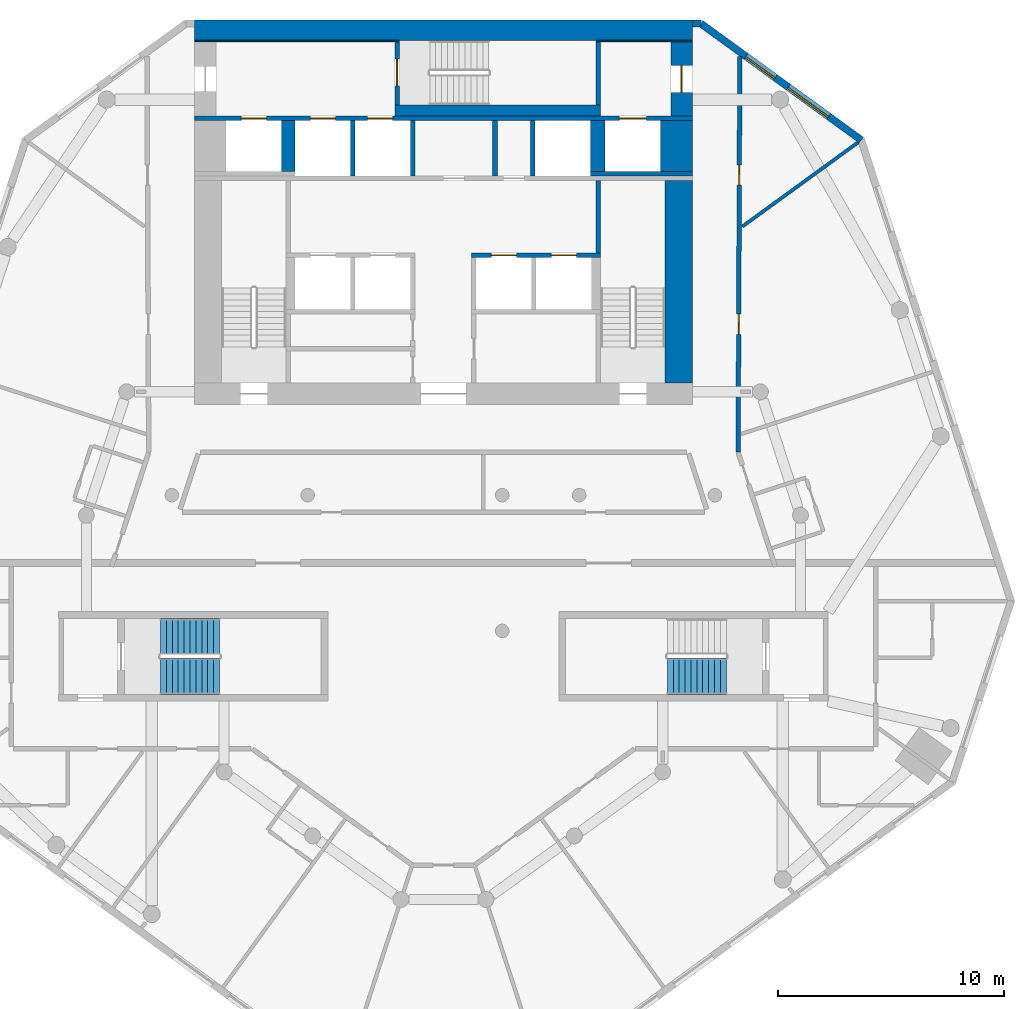
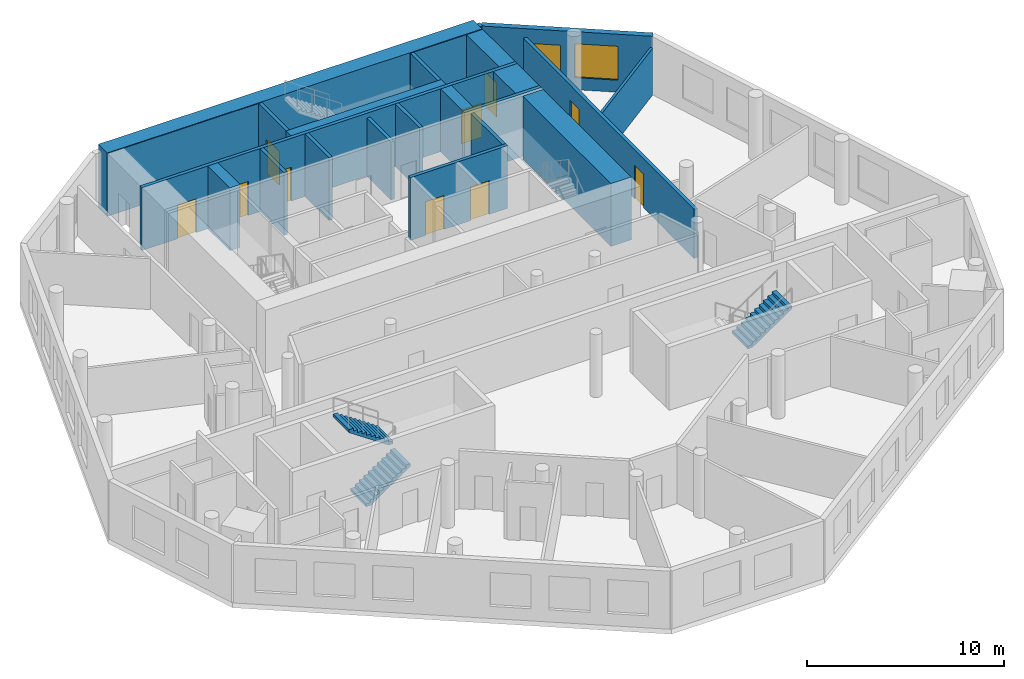
# One storey, part 6 of 9: 23 walls, 10 doors, 3 stair flights, 2 windows, 12 openings, 2 elements without a shape of their own.
"""IFC4 building model written with IfcOpenShell, lengths in metres."""

from ifc_helpers import new_model, si_unit, direction, frame, frame_2d, origin, place, context, subcontext, project, spatial, polyline, rectangle, outline, extrude, material, layer, layer_set, type_object, element, fill, aggregate, save


model = new_model("IFC4")

# Units and contexts
model_context = context("Model", 3, precision=1e-05, world=origin(), true_north=direction((0.0, 1.0)))
body_context = subcontext(model_context, "Body", "Model", "MODEL_VIEW")
ifc_project = project(units=[si_unit("LENGTHUNIT", "METRE"), si_unit("AREAUNIT", "SQUARE_METRE"), si_unit("VOLUMEUNIT", "CUBIC_METRE"), si_unit("PLANEANGLEUNIT", "RADIAN"), si_unit("MASSUNIT", "GRAM", prefix="KILO")], contexts=[model_context])

# Site, building, storey
site_placement = place(None, origin())
site = spatial("IfcSite", under=ifc_project, at=site_placement, CompositionType="ELEMENT")
building_placement = place(site_placement, origin())
building = spatial("IfcBuilding", under=site, at=building_placement, Name="White Candle Pilgrim Tower", CompositionType="ELEMENT")
storey_placement = place(building_placement, frame((0.0, 0.0, 179.800048828125)))
storey = spatial("IfcBuildingStorey", under=building, at=storey_placement, Name="L41", CompositionType="ELEMENT", Elevation=179.800048828125)

# Walls
ifc_material_1 = material(Name="Concrete C60/75", Category="concrete")
ifc_layer_1 = layer(ifc_material_1, 1.39990234375)
ifc_layer_set_1 = layer_set([ifc_layer_1], Name="Core wall 1400 mm Concrete C60/75")
wall_type_1 = type_object("IfcWallType", Name="Core wall 1400 mm Concrete C60/75", PredefinedType="SHEAR", material=ifc_layer_set_1)
wall_1_placement = place(storey_placement, frame((80.300048828125, 81.300048828125, 0.0), z_axis=(0.0, 0.0, 1.0), x_axis=(0.0, 1.0, 0.0)))
element("IfcWall", 1, at=wall_1_placement, inside=storey, type_object=wall_type_1, Name="WL-L41-C43", PredefinedType="SHEAR", context=body_context, shape_type="SweptSolid", body=[
    extrude(rectangle(XDim=2.25, YDim=1.39990234375, at=frame_2d((1.125, 0.0))), origin(), (0.0, 0.0, 1.0), 3.89990234375),
])
ifc_layer_2 = layer(ifc_material_1, 0.199951171875)
ifc_layer_set_2 = layer_set([ifc_layer_2], Name="Core wall 200 mm Concrete C60/75")
wall_type_2 = type_object("IfcWallType", Name="Core wall 200 mm Concrete C60/75", PredefinedType="SHEAR", material=ifc_layer_set_2)
wall_2_placement = place(storey_placement, frame((76.5, 81.199951171875, 0.0), z_axis=(0.0, 0.0, 1.0), x_axis=(1.0, 0.0, 0.0)))
element("IfcWall", 2, at=wall_2_placement, inside=storey, type_object=wall_type_2, Name="WL-L41-C39", PredefinedType="SHEAR", context=body_context, shape_type="SweptSolid", body=[
    extrude(rectangle(XDim=4.5, YDim=0.199951171875, at=frame_2d((2.25, 0.0))), origin(), (0.0, 0.0, 1.0), 3.89990234375),
])

# Wall, openings, doors
wall_3_placement = place(storey_placement, frame((59.0, 83.64990234375, 0.0), z_axis=(0.0, 0.0, 1.0), x_axis=(1.0, 0.0, 0.0)))
wall_3 = element("IfcWall", 3, at=wall_3_placement, inside=storey, type_object=wall_type_2, Name="WL-L41-C44", PredefinedType="SHEAR", context=body_context, shape_type="SweptSolid", body=[
    extrude(rectangle(XDim=22.0, YDim=0.199951171875, at=frame_2d((11.0, 0.0))), origin(), (0.0, 0.0, 1.0), 3.89990234375),
])
opening_1_placement = place(wall_3_placement, frame((5.125, 0.0, 0.0)))
opening_1 = element("IfcOpeningElement", 4, at=opening_1_placement, cuts=wall_3, Name="Opening T12-018", PredefinedType="OPENING", context=body_context, shape_type="SweptSolid", body=[
    extrude(rectangle(XDim=1.10009765625, YDim=2.10009765625, at=frame_2d((0.550048828125, 1.050048828125))), frame((0.0, 0.10986328125, 0.0), z_axis=(0.0, -1.0, 0.0), x_axis=(1.0, 0.0, 0.0)), (0.0, 0.0, 1.0), 0.219970703125),
])
opening_2_placement = place(wall_3_placement, frame((7.64990234375, 0.0, 0.0)))
opening_2 = element("IfcOpeningElement", 5, at=opening_2_placement, cuts=wall_3, Name="Opening T12-019", PredefinedType="OPENING", context=body_context, shape_type="SweptSolid", body=[
    extrude(rectangle(XDim=1.10009765625, YDim=2.10009765625, at=frame_2d((0.550048828125, 1.050048828125))), frame((0.0, 0.10986328125, 0.0), z_axis=(0.0, -1.0, 0.0), x_axis=(1.0, 0.0, 0.0)), (0.0, 0.0, 1.0), 0.219970703125),
])
opening_3_placement = place(wall_3_placement, frame((18.77490234375, 0.0, 0.0)))
opening_3 = element("IfcOpeningElement", 6, at=opening_3_placement, cuts=wall_3, Name="Opening T12-020", PredefinedType="OPENING", context=body_context, shape_type="SweptSolid", body=[
    extrude(rectangle(XDim=1.199951171875, YDim=2.10009765625, at=frame_2d((0.60009765625, 1.050048828125))), frame((0.0, 0.10986328125, 0.0), z_axis=(0.0, -1.0, 0.0), x_axis=(1.0, 0.0, 0.0)), (0.0, 0.0, 1.0), 0.219970703125),
])
opening_4_placement = place(wall_3_placement, frame((2.074951171875, 0.0, 0.0)))
opening_4 = element("IfcOpeningElement", 7, at=opening_4_placement, cuts=wall_3, Name="Opening T12-021", PredefinedType="OPENING", context=body_context, shape_type="SweptSolid", body=[
    extrude(rectangle(XDim=1.10009765625, YDim=2.10009765625, at=frame_2d((0.550048828125, 1.050048828125))), frame((0.0, 0.10986328125, 0.0), z_axis=(0.0, -1.0, 0.0), x_axis=(1.0, 0.0, 0.0)), (0.0, 0.0, 1.0), 0.219970703125),
])
ifc_material_2 = material(Name="Stainless steel", Category="steel")
door_type_1 = type_object("IfcDoorType", Name="Lift landing door 1100 x 2100 EI 60", OperationType="DOUBLE_DOOR_SLIDING", PredefinedType="DOOR", material=ifc_material_2)
door_1_placement = place(opening_1_placement, origin())
door_1 = element("IfcDoor", 8, at=door_1_placement, inside=storey, type_object=door_type_1, Name="Door T12-018", OperationType="DOUBLE_DOOR_SLIDING", OverallHeight=2.10009765625, OverallWidth=1.10009765625, PredefinedType="DOOR", context=body_context, shape_type="SweptSolid", body=[
    extrude(rectangle(XDim=1.10009765625, YDim=2.10009765625, at=frame_2d((0.550048828125, 1.050048828125))), frame((0.0, 0.02490234375, 0.0), z_axis=(0.0, -1.0, 0.0), x_axis=(1.0, 0.0, 0.0)), (0.0, 0.0, 1.0), 0.050048828125),
])
fill(opening_1, door_1)
door_2_placement = place(opening_2_placement, origin())
door_2 = element("IfcDoor", 9, at=door_2_placement, inside=storey, type_object=door_type_1, Name="Door T12-019", OperationType="DOUBLE_DOOR_SLIDING", OverallHeight=2.10009765625, OverallWidth=1.10009765625, PredefinedType="DOOR", context=body_context, shape_type="SweptSolid", body=[
    extrude(rectangle(XDim=1.10009765625, YDim=2.10009765625, at=frame_2d((0.550048828125, 1.050048828125))), frame((0.0, 0.02490234375, 0.0), z_axis=(0.0, -1.0, 0.0), x_axis=(1.0, 0.0, 0.0)), (0.0, 0.0, 1.0), 0.050048828125),
])
fill(opening_2, door_2)
door_3_placement = place(opening_4_placement, origin())
door_3 = element("IfcDoor", 10, at=door_3_placement, inside=storey, type_object=door_type_1, Name="Door T12-021", OperationType="DOUBLE_DOOR_SLIDING", OverallHeight=2.10009765625, OverallWidth=1.10009765625, PredefinedType="DOOR", context=body_context, shape_type="SweptSolid", body=[
    extrude(rectangle(XDim=1.10009765625, YDim=2.10009765625, at=frame_2d((0.550048828125, 1.050048828125))), frame((0.0, 0.02490234375, 0.0), z_axis=(0.0, -1.0, 0.0), x_axis=(1.0, 0.0, 0.0)), (0.0, 0.0, 1.0), 0.050048828125),
])
fill(opening_4, door_3)
door_type_2 = type_object("IfcDoorType", Name="Lift landing door 1200 x 2100 E 60", OperationType="DOUBLE_DOOR_SLIDING", PredefinedType="DOOR", material=ifc_material_2)
door_4_placement = place(opening_3_placement, origin())
door_4 = element("IfcDoor", 11, at=door_4_placement, inside=storey, type_object=door_type_2, Name="Door T12-020", OperationType="DOUBLE_DOOR_SLIDING", OverallHeight=2.10009765625, OverallWidth=1.199951171875, PredefinedType="DOOR", context=body_context, shape_type="SweptSolid", body=[
    extrude(rectangle(XDim=1.199951171875, YDim=2.10009765625, at=frame_2d((0.60009765625, 1.050048828125))), frame((0.0, 0.02490234375, 0.0), z_axis=(0.0, -1.0, 0.0), x_axis=(1.0, 0.0, 0.0)), (0.0, 0.0, 1.0), 0.050048828125),
])
fill(opening_3, door_4)

# Wall, opening, door
ifc_layer_3 = layer(ifc_material_1, 0.949951171875)
ifc_layer_set_3 = layer_set([ifc_layer_3], Name="Core wall 950 mm Concrete C60/75")
wall_type_3 = type_object("IfcWallType", Name="Core wall 950 mm Concrete C60/75", PredefinedType="SHEAR", material=ifc_layer_set_3)
wall_4_placement = place(storey_placement, frame((80.52490234375, 83.75, 0.0), z_axis=(0.0, 0.0, 1.0), x_axis=(0.0, 1.0, 0.0)))
wall_4 = element("IfcWall", 12, at=wall_4_placement, inside=storey, type_object=wall_type_3, Name="WL-L41-C47", PredefinedType="SHEAR", context=body_context, shape_type="SweptSolid", body=[
    extrude(rectangle(XDim=3.300048828125, YDim=0.949951171875, at=frame_2d((1.64990234375, 0.0))), origin(), (0.0, 0.0, 1.0), 3.89990234375),
])
opening_5_placement = place(wall_4_placement, frame((1.050048828125, 0.0, 0.0)))
opening_5 = element("IfcOpeningElement", 13, at=opening_5_placement, cuts=wall_4, Name="Opening T12-009", PredefinedType="OPENING", context=body_context, shape_type="SweptSolid", body=[
    extrude(rectangle(XDim=1.199951171875, YDim=2.10009765625, at=frame_2d((0.60009765625, 1.050048828125))), frame((0.0, 0.48486328125, 0.0), z_axis=(0.0, -1.0, 0.0), x_axis=(1.0, 0.0, 0.0)), (0.0, 0.0, 1.0), 0.969970703125),
])
ifc_material_3 = material(Name="Steel door leaf", Category="steel")
door_type_3 = type_object("IfcDoorType", Name="Fire door 1200 x 2100 EI 30", OperationType="NOTDEFINED", PredefinedType="DOOR", material=ifc_material_3)
door_5_placement = place(opening_5_placement, origin())
door_5 = element("IfcDoor", 14, at=door_5_placement, inside=storey, type_object=door_type_3, Name="Door T12-009", OperationType="SINGLE_SWING_LEFT", OverallHeight=2.10009765625, OverallWidth=1.199951171875, PredefinedType="DOOR", context=body_context, shape_type="SweptSolid", body=[
    extrude(rectangle(XDim=1.199951171875, YDim=2.10009765625, at=frame_2d((0.60009765625, 1.050048828125))), frame((0.0, 0.02490234375, 0.0), z_axis=(0.0, -1.0, 0.0), x_axis=(1.0, 0.0, 0.0)), (0.0, 0.0, 1.0), 0.050048828125),
])
fill(opening_5, door_5)

# Wall, openings, doors
ifc_material_4 = material(Name="Gypsum board on steel studs", Category="steel")
ifc_layer_4 = layer(ifc_material_4, 0.199951171875)
ifc_layer_set_4 = layer_set([ifc_layer_4], Name="Corridor wall 200 mm EI 45")
wall_type_4 = type_object("IfcWallType", Name="Corridor wall 200 mm EI 45", PredefinedType="PARTITIONING", material=ifc_layer_set_4)
wall_5_placement = place(storey_placement, frame((83.10009765625, 86.396240234375, 0.0), z_axis=(0.0, 0.0, 1.0), x_axis=(-0.004315662543, -0.999990687485, 0.0)))
wall_5 = element("IfcWall", 15, at=wall_5_placement, inside=storey, type_object=wall_type_4, Name="WL-L41-P004", PredefinedType="PARTITIONING", context=body_context, shape_type="SweptSolid", body=[
    extrude(rectangle(XDim=17.48046875, YDim=0.199951171875, at=frame_2d((8.740234375, 0.0))), origin(), (0.0, 0.0, 1.0), 3.050048828125),
])
opening_6_placement = place(wall_5_placement, frame((4.7939453125, 0.0, 0.0)))
opening_6 = element("IfcOpeningElement", 16, at=opening_6_placement, cuts=wall_5, Name="Opening T12-125", PredefinedType="OPENING", context=body_context, shape_type="SweptSolid", body=[
    extrude(rectangle(XDim=0.89990234375, YDim=2.10009765625, at=frame_2d((0.449951171875, 1.050048828125))), frame((0.0, 0.10986328125, 0.0), z_axis=(0.0, -1.0, 0.0), x_axis=(1.0, 0.0, 0.0)), (0.0, 0.0, 1.0), 0.219970703125),
])
opening_7_placement = place(wall_5_placement, frame((11.3857421875, 0.0, 0.0)))
opening_7 = element("IfcOpeningElement", 17, at=opening_7_placement, cuts=wall_5, Name="Opening T12-126", PredefinedType="OPENING", context=body_context, shape_type="SweptSolid", body=[
    extrude(rectangle(XDim=0.89990234375, YDim=2.10009765625, at=frame_2d((0.449951171875, 1.050048828125))), frame((0.0, 0.10986328125, 0.0), z_axis=(0.0, -1.0, 0.0), x_axis=(1.0, 0.0, 0.0)), (0.0, 0.0, 1.0), 0.219970703125),
])
door_type_4 = type_object("IfcDoorType", Name="Fire door 900 x 2100 EI 30", OperationType="NOTDEFINED", PredefinedType="DOOR", material=ifc_material_3)
door_6_placement = place(opening_6_placement, origin())
door_6 = element("IfcDoor", 18, at=door_6_placement, inside=storey, type_object=door_type_4, Name="Door T12-125", OperationType="SINGLE_SWING_LEFT", OverallHeight=2.10009765625, OverallWidth=0.89990234375, PredefinedType="DOOR", context=body_context, shape_type="SweptSolid", body=[
    extrude(rectangle(XDim=0.89990234375, YDim=2.10009765625, at=frame_2d((0.449951171875, 1.050048828125))), frame((0.0, 0.02490234375, 0.0), z_axis=(0.0, -1.0, 0.0), x_axis=(1.0, 0.0, 0.0)), (0.0, 0.0, 1.0), 0.050048828125),
])
fill(opening_6, door_6)
door_7_placement = place(opening_7_placement, origin())
door_7 = element("IfcDoor", 19, at=door_7_placement, inside=storey, type_object=door_type_4, Name="Door T12-126", OperationType="SINGLE_SWING_RIGHT", OverallHeight=2.10009765625, OverallWidth=0.89990234375, PredefinedType="DOOR", context=body_context, shape_type="SweptSolid", body=[
    extrude(rectangle(XDim=0.89990234375, YDim=2.10009765625, at=frame_2d((0.449951171875, 1.050048828125))), frame((0.0, 0.02490234375, 0.0), z_axis=(0.0, -1.0, 0.0), x_axis=(1.0, 0.0, 0.0)), (0.0, 0.0, 1.0), 0.050048828125),
])
fill(opening_7, door_7)

# Wall, openings, windows
ifc_material_5 = material(Name="Precast concrete C40/50", Category="concrete")
ifc_layer_5 = layer(ifc_material_5, 0.320068359375)
ifc_layer_set_5 = layer_set([ifc_layer_5], Name="Facade wall EW1 precast concrete C40/50 pier wall with timber-lined reveals")
wall_type_5 = type_object("IfcWallType", Name="Facade wall EW1 precast concrete C40/50 pier wall with timber-lined reveals", PredefinedType="SOLIDWALL", material=ifc_layer_set_5)
wall_6_placement = place(storey_placement, frame((88.468505859375, 82.693603515625, 0.0), z_axis=(0.0, 0.0, 1.0), x_axis=(-0.809015733499, 0.587786987735, 0.0)))
wall_6 = element("IfcWall", 20, at=wall_6_placement, inside=storey, type_object=wall_type_5, Name="Facade wall L41 NE chamfer", PredefinedType="SOLIDWALL", context=body_context, shape_type="SweptSolid", body=[
    extrude(rectangle(XDim=8.755615234375, YDim=0.320068359375, at=frame_2d((4.3779296875, 0.0))), origin(), (0.0, 0.0, 1.0), 3.599853515625),
])
opening_8_placement = place(wall_6_placement, frame((1.77783203125, 0.0, 0.75)))
opening_8 = element("IfcOpeningElement", 21, at=opening_8_placement, cuts=wall_6, Name="Opening W4", PredefinedType="OPENING", context=body_context, shape_type="SweptSolid", body=[
    extrude(rectangle(XDim=2.199951171875, YDim=2.10009765625, at=frame_2d((1.10009765625, 1.050048828125))), frame((0.0, 0.169921875, 0.0), z_axis=(0.0, -1.0, 0.0), x_axis=(1.0, 0.0, 0.0)), (0.0, 0.0, 1.0), 0.340087890625),
])
opening_9_placement = place(wall_6_placement, frame((4.6962890625, 0.0, 0.89990234375)))
opening_9 = element("IfcOpeningElement", 22, at=opening_9_placement, cuts=wall_6, Name="Opening W2", PredefinedType="OPENING", context=body_context, shape_type="SweptSolid", body=[
    extrude(rectangle(XDim=1.60009765625, YDim=1.800048828125, at=frame_2d((0.800048828125, 0.89990234375))), frame((0.0, 0.169921875, 0.0), z_axis=(0.0, -1.0, 0.0), x_axis=(1.0, 0.0, 0.0)), (0.0, 0.0, 1.0), 0.340087890625),
])
ifc_material_6 = material(Name="Timber frame with triple glazing", Category="wood")
window_type_1 = type_object("IfcWindowType", Name="Window W2 1600x1800 timber frame triple glazing", PartitioningType="SINGLE_PANEL", PredefinedType="WINDOW", material=ifc_material_6)
window_1_placement = place(opening_9_placement, origin())
window_1 = element("IfcWindow", 23, at=window_1_placement, inside=storey, type_object=window_type_1, Name="Window W2 L41 NE chamfer 2", OverallHeight=1.800048828125, OverallWidth=1.60009765625, PartitioningType="SINGLE_PANEL", PredefinedType="WINDOW", context=body_context, shape_type="SweptSolid", body=[
    extrude(rectangle(XDim=1.60009765625, YDim=1.800048828125, at=frame_2d((0.800048828125, 0.89990234375))), frame((0.0, 0.070068359375, 0.0), z_axis=(0.0, -1.0, 0.0), x_axis=(1.0, 0.0, 0.0)), (0.0, 0.0, 1.0), 0.06005859375),
])
fill(opening_9, window_1)
window_type_2 = type_object("IfcWindowType", Name="Window W4 2200x2100 timber frame triple glazing", PartitioningType="SINGLE_PANEL", PredefinedType="WINDOW", material=ifc_material_6)
window_2_placement = place(opening_8_placement, origin())
window_2 = element("IfcWindow", 24, at=window_2_placement, inside=storey, type_object=window_type_2, Name="Window W4 L41 NE chamfer 1", OverallHeight=2.10009765625, OverallWidth=2.199951171875, PartitioningType="SINGLE_PANEL", PredefinedType="WINDOW", context=body_context, shape_type="SweptSolid", body=[
    extrude(rectangle(XDim=2.199951171875, YDim=2.10009765625, at=frame_2d((1.10009765625, 1.050048828125))), frame((0.0, 0.070068359375, 0.0), z_axis=(0.0, -1.0, 0.0), x_axis=(1.0, 0.0, 0.0)), (0.0, 0.0, 1.0), 0.06005859375),
])
fill(opening_8, window_2)

# Walls
wall_7_placement = place(storey_placement, frame((81.385009765625, 87.840087890625, 0.0), z_axis=(0.0, 0.0, 1.0), x_axis=(-1.0, 0.0, 0.0)))
element("IfcWall", 25, at=wall_7_placement, inside=storey, type_object=wall_type_5, Name="Facade wall L41 N", PredefinedType="SOLIDWALL", context=body_context, shape_type="SweptSolid", body=[
    extrude(rectangle(XDim=0.385009765625, YDim=0.320068359375, at=frame_2d((0.1923828125, 0.0))), origin(), (0.0, 0.0, 1.0), 3.599853515625),
])
ifc_layer_6 = layer(ifc_material_4, 0.199951171875)
ifc_layer_set_6 = layer_set([ifc_layer_6], Name="Lobby wall 200 mm EI 60")
wall_type_6 = type_object("IfcWallType", Name="Lobby wall 200 mm EI 60", PredefinedType="PARTITIONING", material=ifc_layer_set_6)
wall_8_placement = place(storey_placement, frame((72.280029296875, 81.10009765625, 0.0), z_axis=(0.0, 0.0, 1.0), x_axis=(0.0, 1.0, 0.0)))
element("IfcWall", 26, at=wall_8_placement, inside=storey, type_object=wall_type_6, Name="WL-L41-C37", PredefinedType="PARTITIONING", context=body_context, shape_type="SweptSolid", body=[
    extrude(rectangle(XDim=2.449951171875, YDim=0.199951171875, at=frame_2d((1.22509765625, 0.0))), origin(), (0.0, 0.0, 1.0), 3.599853515625),
])
ifc_layer_7 = layer(ifc_material_4, 0.14990234375)
ifc_layer_set_7 = layer_set([ifc_layer_7], Name="Partition 150 mm EI 60")
wall_type_7 = type_object("IfcWallType", Name="Partition 150 mm EI 60", PredefinedType="PARTITIONING", material=ifc_layer_set_7)
wall_9_placement = place(storey_placement, frame((88.33251953125, 82.594482421875, 0.0), z_axis=(0.0, 0.0, 1.0), x_axis=(-0.809026220211, -0.587772553809, 0.0)))
element("IfcWall", 27, at=wall_9_placement, inside=storey, type_object=wall_type_7, Name="WL-L41-P024", PredefinedType="PARTITIONING", context=body_context, shape_type="SweptSolid", body=[
    extrude(rectangle(XDim=6.329345703125, YDim=0.14990234375, at=frame_2d((3.16455078125, 0.0))), origin(), (0.0, 0.0, 1.0), 2.89990234375),
])
ifc_layer_8 = layer(ifc_material_1, 0.199951171875)
ifc_layer_set_8 = layer_set([ifc_layer_8], Name="Shaft wall 200 mm Concrete C60/75")
wall_type_8 = type_object("IfcWallType", Name="Shaft wall 200 mm Concrete C60/75", PredefinedType="SHEAR", material=ifc_layer_set_8)
for number, where, z_axis, x_axis, name in (
    (28, (66.0, 81.10009765625, 0.0), (0.0, 0.0, 1.0), (0.0, 1.0, 0.0), "WL-L41-C35"),
    (29, (68.64990234375, 81.10009765625, 0.0), (0.0, 0.0, 1.0), (0.0, 1.0, 0.0), "WL-L41-C36"),
    (30, (73.949951171875, 81.10009765625, 0.0), (0.0, 0.0, 1.0), (0.0, 1.0, 0.0), "WL-L41-C38"),
):
    element("IfcWall", number, at=place(storey_placement, frame(where, z_axis=z_axis, x_axis=x_axis)), inside=storey, type_object=wall_type_8, Name=name, PredefinedType="SHEAR", context=body_context, shape_type="SweptSolid", body=[
        extrude(rectangle(XDim=2.449951171875, YDim=0.199951171875, at=frame_2d((1.22509765625, 0.0))), origin(), (0.0, 0.0, 1.0), 3.89990234375),
    ])
ifc_layer_9 = layer(ifc_material_1, 0.60009765625)
ifc_layer_set_9 = layer_set([ifc_layer_9], Name="Shaft wall 600 mm Concrete C60/75")
wall_type_9 = type_object("IfcWallType", Name="Shaft wall 600 mm Concrete C60/75", PredefinedType="SHEAR", material=ifc_layer_set_9)
wall_10_placement = place(storey_placement, frame((63.14990234375, 81.300048828125, 0.0), z_axis=(0.0, 0.0, 1.0), x_axis=(0.0, 1.0, 0.0)))
element("IfcWall", 31, at=wall_10_placement, inside=storey, type_object=wall_type_9, Name="WL-L41-C41", PredefinedType="SHEAR", context=body_context, shape_type="SweptSolid", body=[
    extrude(rectangle(XDim=2.25, YDim=0.60009765625, at=frame_2d((1.125, 0.0))), origin(), (0.0, 0.0, 1.0), 3.89990234375),
])
ifc_layer_10 = layer(ifc_material_1, 0.64990234375)
ifc_layer_set_10 = layer_set([ifc_layer_10], Name="Shaft wall 650 mm Concrete C60/75")
wall_type_10 = type_object("IfcWallType", Name="Shaft wall 650 mm Concrete C60/75", PredefinedType="SHEAR", material=ifc_layer_set_10)
wall_11_placement = place(storey_placement, frame((76.824951171875, 81.300048828125, 0.0), z_axis=(0.0, 0.0, 1.0), x_axis=(0.0, 1.0, 0.0)))
element("IfcWall", 32, at=wall_11_placement, inside=storey, type_object=wall_type_10, Name="WL-L41-C42", PredefinedType="SHEAR", context=body_context, shape_type="SweptSolid", body=[
    extrude(rectangle(XDim=2.25, YDim=0.64990234375, at=frame_2d((1.125, 0.0))), origin(), (0.0, 0.0, 1.0), 3.89990234375),
])
ifc_layer_11 = layer(ifc_material_1, 1.199951171875)
ifc_layer_set_11 = layer_set([ifc_layer_11], Name="Stair shaft wall 1200 mm Concrete C60/75")
wall_type_11 = type_object("IfcWallType", Name="Stair shaft wall 1200 mm Concrete C60/75", PredefinedType="SHEAR", material=ifc_layer_set_11)
wall_12_placement = place(storey_placement, frame((80.39990234375, 71.949951171875, 0.0), z_axis=(0.0, 0.0, 1.0), x_axis=(0.0, 1.0, 0.0)))
element("IfcWall", 33, at=wall_12_placement, inside=storey, type_object=wall_type_11, Name="WL-L41-C17", PredefinedType="SHEAR", context=body_context, shape_type="SweptSolid", body=[
    extrude(rectangle(XDim=8.949951171875, YDim=1.199951171875, at=frame_2d((4.47509765625, 0.0))), origin(), (0.0, 0.0, 1.0), 3.89990234375),
])

# Wall, openings, doors
ifc_layer_12 = layer(ifc_material_1, 0.199951171875)
ifc_layer_set_12 = layer_set([ifc_layer_12], Name="Stair shaft wall 200 mm Concrete C60/75")
wall_type_12 = type_object("IfcWallType", Name="Stair shaft wall 200 mm Concrete C60/75", PredefinedType="SHEAR", material=ifc_layer_set_12)
wall_13_placement = place(storey_placement, frame((71.25, 77.60009765625, 0.0), z_axis=(0.0, 0.0, 1.0), x_axis=(1.0, 0.0, 0.0)))
wall_13 = element("IfcWall", 34, at=wall_13_placement, inside=storey, type_object=wall_type_12, Name="WL-L41-C30", PredefinedType="SHEAR", context=body_context, shape_type="SweptSolid", body=[
    extrude(rectangle(XDim=5.699951171875, YDim=0.199951171875, at=frame_2d((2.85009765625, 0.0))), origin(), (0.0, 0.0, 1.0), 3.89990234375),
])
opening_10_placement = place(wall_13_placement, frame((0.875, 0.0, 0.0)))
opening_10 = element("IfcOpeningElement", 35, at=opening_10_placement, cuts=wall_13, Name="Opening T12-016", PredefinedType="OPENING", context=body_context, shape_type="SweptSolid", body=[
    extrude(rectangle(XDim=1.10009765625, YDim=2.10009765625, at=frame_2d((0.550048828125, 1.050048828125))), frame((0.0, 0.10986328125, 0.0), z_axis=(0.0, -1.0, 0.0), x_axis=(1.0, 0.0, 0.0)), (0.0, 0.0, 1.0), 0.219970703125),
])
opening_11_placement = place(wall_13_placement, frame((3.52490234375, 0.0, 0.0)))
opening_11 = element("IfcOpeningElement", 36, at=opening_11_placement, cuts=wall_13, Name="Opening T12-017", PredefinedType="OPENING", context=body_context, shape_type="SweptSolid", body=[
    extrude(rectangle(XDim=1.10009765625, YDim=2.10009765625, at=frame_2d((0.550048828125, 1.050048828125))), frame((0.0, 0.10986328125, 0.0), z_axis=(0.0, -1.0, 0.0), x_axis=(1.0, 0.0, 0.0)), (0.0, 0.0, 1.0), 0.219970703125),
])
door_type_5 = type_object("IfcDoorType", Name="Lift landing door 1100 x 2100 E 60", OperationType="DOUBLE_DOOR_SLIDING", PredefinedType="DOOR", material=ifc_material_2)
door_8_placement = place(opening_10_placement, origin())
door_8 = element("IfcDoor", 37, at=door_8_placement, inside=storey, type_object=door_type_5, Name="Door T12-016", OperationType="DOUBLE_DOOR_SLIDING", OverallHeight=2.10009765625, OverallWidth=1.10009765625, PredefinedType="DOOR", context=body_context, shape_type="SweptSolid", body=[
    extrude(rectangle(XDim=1.10009765625, YDim=2.10009765625, at=frame_2d((0.550048828125, 1.050048828125))), frame((0.0, 0.02490234375, 0.0), z_axis=(0.0, -1.0, 0.0), x_axis=(1.0, 0.0, 0.0)), (0.0, 0.0, 1.0), 0.050048828125),
])
fill(opening_10, door_8)
door_9_placement = place(opening_11_placement, origin())
door_9 = element("IfcDoor", 38, at=door_9_placement, inside=storey, type_object=door_type_5, Name="Door T12-017", OperationType="DOUBLE_DOOR_SLIDING", OverallHeight=2.10009765625, OverallWidth=1.10009765625, PredefinedType="DOOR", context=body_context, shape_type="SweptSolid", body=[
    extrude(rectangle(XDim=1.10009765625, YDim=2.10009765625, at=frame_2d((0.550048828125, 1.050048828125))), frame((0.0, 0.02490234375, 0.0), z_axis=(0.0, -1.0, 0.0), x_axis=(1.0, 0.0, 0.0)), (0.0, 0.0, 1.0), 0.050048828125),
])
fill(opening_11, door_9)

# Wall
wall_14_placement = place(storey_placement, frame((76.85009765625, 77.699951171875, 0.0), z_axis=(0.0, 0.0, 1.0), x_axis=(0.0, 1.0, 0.0)))
element("IfcWall", 39, at=wall_14_placement, inside=storey, type_object=wall_type_12, Name="WL-L41-C32", PredefinedType="SHEAR", context=body_context, shape_type="SweptSolid", body=[
    extrude(rectangle(XDim=3.199951171875, YDim=0.199951171875, at=frame_2d((1.60009765625, 0.0))), origin(), (0.0, 0.0, 1.0), 3.89990234375),
])

# Wall, opening, door
wall_15_placement = place(storey_placement, frame((67.949951171875, 84.25, 0.0), z_axis=(0.0, 0.0, 1.0), x_axis=(0.0, 1.0, 0.0)))
wall_15 = element("IfcWall", 40, at=wall_15_placement, inside=storey, type_object=wall_type_12, Name="WL-L41-C48", PredefinedType="SHEAR", context=body_context, shape_type="SweptSolid", body=[
    extrude(rectangle(XDim=2.800048828125, YDim=0.199951171875, at=frame_2d((1.39990234375, 0.0))), origin(), (0.0, 0.0, 1.0), 3.89990234375),
])
opening_12_placement = place(wall_15_placement, frame((0.824951171875, 0.0, 0.0)))
opening_12 = element("IfcOpeningElement", 41, at=opening_12_placement, cuts=wall_15, Name="Opening T12-003", PredefinedType="OPENING", context=body_context, shape_type="SweptSolid", body=[
    extrude(rectangle(XDim=1.199951171875, YDim=2.10009765625, at=frame_2d((0.60009765625, 1.050048828125))), frame((0.0, 0.10986328125, 0.0), z_axis=(0.0, -1.0, 0.0), x_axis=(1.0, 0.0, 0.0)), (0.0, 0.0, 1.0), 0.219970703125),
])
door_type_6 = type_object("IfcDoorType", Name="Fire door 1200 x 2100 EI 60", OperationType="NOTDEFINED", PredefinedType="DOOR", material=ifc_material_3)
door_10_placement = place(opening_12_placement, frame((1.199951171875, 0.0, 0.0), z_axis=(0.0, 0.0, 1.0), x_axis=(-1.0, 0.0, 0.0)))
door_10 = element("IfcDoor", 42, at=door_10_placement, inside=storey, type_object=door_type_6, Name="Door T12-003", OperationType="SINGLE_SWING_RIGHT", OverallHeight=2.10009765625, OverallWidth=1.199951171875, PredefinedType="DOOR", context=body_context, shape_type="SweptSolid", body=[
    extrude(rectangle(XDim=1.199951171875, YDim=2.10009765625, at=frame_2d((0.60009765625, 1.050048828125))), frame((0.0, 0.02490234375, 0.0), z_axis=(0.0, -1.0, 0.0), x_axis=(1.0, 0.0, 0.0)), (0.0, 0.0, 1.0), 0.050048828125),
])
fill(opening_12, door_10)

# Walls
wall_16_placement = place(storey_placement, frame((76.85009765625, 84.25, 0.0), z_axis=(0.0, 0.0, 1.0), x_axis=(0.0, 1.0, 0.0)))
element("IfcWall", 43, at=wall_16_placement, inside=storey, type_object=wall_type_12, Name="WL-L41-C49", PredefinedType="SHEAR", context=body_context, shape_type="SweptSolid", body=[
    extrude(rectangle(XDim=2.800048828125, YDim=0.199951171875, at=frame_2d((1.39990234375, 0.0))), origin(), (0.0, 0.0, 1.0), 3.89990234375),
])
ifc_layer_13 = layer(ifc_material_1, 0.050048828125)
ifc_layer_set_13 = layer_set([ifc_layer_13], Name="Stair shaft wall 50 mm Concrete C60/75")
wall_type_13 = type_object("IfcWallType", Name="Stair shaft wall 50 mm Concrete C60/75", PredefinedType="SHEAR", material=ifc_layer_set_13)
wall_17_placement = place(storey_placement, frame((59.0, 87.074951171875, 0.0), z_axis=(0.0, 0.0, 1.0), x_axis=(1.0, 0.0, 0.0)))
element("IfcWall", 44, at=wall_17_placement, inside=storey, type_object=wall_type_13, Name="WL-L41-C50", PredefinedType="SHEAR", context=body_context, shape_type="SweptSolid", body=[
    extrude(rectangle(XDim=9.050048828125, YDim=0.050048828125, at=frame_2d((4.52490234375, 0.0))), origin(), (0.0, 0.0, 1.0), 3.89990234375),
])
wall_18_placement = place(storey_placement, frame((76.75, 87.074951171875, 0.0), z_axis=(0.0, 0.0, 1.0), x_axis=(1.0, 0.0, 0.0)))
element("IfcWall", 45, at=wall_18_placement, inside=storey, type_object=wall_type_13, Name="WL-L41-C51", PredefinedType="SHEAR", context=body_context, shape_type="SweptSolid", body=[
    extrude(rectangle(XDim=4.25, YDim=0.050048828125, at=frame_2d((2.125, 0.0))), origin(), (0.0, 0.0, 1.0), 3.89990234375),
])
ifc_layer_14 = layer(ifc_material_1, 0.5)
ifc_layer_set_14 = layer_set([ifc_layer_14], Name="Stair shaft wall 500 mm Concrete C60/75")
wall_type_14 = type_object("IfcWallType", Name="Stair shaft wall 500 mm Concrete C60/75", PredefinedType="SHEAR", material=ifc_layer_set_14)
wall_19_placement = place(storey_placement, frame((67.85009765625, 84.0, 0.0), z_axis=(0.0, 0.0, 1.0), x_axis=(1.0, 0.0, 0.0)))
element("IfcWall", 46, at=wall_19_placement, inside=storey, type_object=wall_type_14, Name="WL-L41-C46", PredefinedType="SHEAR", context=body_context, shape_type="SweptSolid", body=[
    extrude(rectangle(XDim=9.099853515625, YDim=0.5, at=frame_2d((4.5498046875, 0.0))), origin(), (0.0, 0.0, 1.0), 3.89990234375),
])
ifc_layer_15 = layer(ifc_material_1, 0.89990234375)
ifc_layer_set_15 = layer_set([ifc_layer_15], Name="Stair shaft wall 900 mm Concrete C60/75")
wall_type_15 = type_object("IfcWallType", Name="Stair shaft wall 900 mm Concrete C60/75", PredefinedType="SHEAR", material=ifc_layer_set_15)
wall_20_placement = place(storey_placement, frame((59.0, 87.550048828125, 0.0), z_axis=(0.0, 0.0, 1.0), x_axis=(1.0, 0.0, 0.0)))
element("IfcWall", 47, at=wall_20_placement, inside=storey, type_object=wall_type_15, Name="WL-L41-C52", PredefinedType="SHEAR", context=body_context, shape_type="SweptSolid", body=[
    extrude(rectangle(XDim=22.0, YDim=0.89990234375, at=frame_2d((11.0, 0.0))), origin(), (0.0, 0.0, 1.0), 3.89990234375),
])

# Stair, stair flight
ifc_material_7 = material(Name="Concrete C40/50", Category="concrete")
stair_type_1 = type_object("IfcStairType", Name="Exit stair 4 flight width 1600 mm", PredefinedType="HALF_TURN_STAIR", material=ifc_material_7)
stair_1_placement = place(storey_placement, origin())
stair_1 = element("IfcStair", 48, at=stair_1_placement, inside=storey, type_object=stair_type_1, Name="L41 stair 4", PredefinedType="NOTDEFINED")
ifc_layer_16 = layer(ifc_material_7, 0.14990234375)
ifc_layer_set_16 = layer_set([ifc_layer_16], Name="Stair flight Concrete C40/50")
stair_flight_type = type_object("IfcStairFlightType", Name="Stair flight Concrete C40/50", PredefinedType="STRAIGHT", material=ifc_layer_set_16)
stair_flight_1_placement = place(storey_placement, frame((79.89990234375, 59.0, 1.949951171875), z_axis=(0.0, 0.0, 1.0), x_axis=(1.0, 0.0, 0.0)))
stair_flight_1 = element("IfcStairFlight", 49, at=stair_flight_1_placement, type_object=stair_flight_type, Name="ST4 flight 2", NumberOfRisers=11, NumberOfTreads=10, PredefinedType="NOTDEFINED", RiserHeight=0.177272727, TreadLength=0.26, context=body_context, shape_type="SweptSolid", body=[
    extrude(outline(polyline([(0.0, 0.0), (0.0, 0.17724609375), (0.260009765625, 0.17724609375), (0.260009765625, 0.3544921875), (0.52001953125, 0.3544921875), (0.52001953125, 0.53173828125), (0.780029296875, 0.53173828125), (0.780029296875, 0.708984375), (1.0400390625, 0.708984375), (1.0400390625, 0.886474609375), (1.300048828125, 0.886474609375), (1.300048828125, 1.063720703125), (1.56005859375, 1.063720703125), (1.56005859375, 1.240966796875), (1.820068359375, 1.240966796875), (1.820068359375, 1.418212890625), (2.080078125, 1.418212890625), (2.080078125, 1.595458984375), (2.340087890625, 1.595458984375), (2.340087890625, 1.772705078125), (2.60009765625, 1.772705078125), (2.60009765625, 1.949951171875), (2.60009765625, 1.59130859375), (0.26611328125, 0.0), (0.0, 0.0)])), frame((0.0, 0.800048828125, 0.0), z_axis=(0.0, -1.0, 0.0), x_axis=(1.0, 0.0, 0.0)), (0.0, 0.0, 1.0), 1.60009765625),
])
aggregate(stair_1, [stair_flight_1])

# Stair, stair flights
stair_type_2 = type_object("IfcStairType", Name="Exit stair 5 flight width 1600 mm", PredefinedType="HALF_TURN_STAIR", material=ifc_material_7)
stair_2_placement = place(storey_placement, origin())
stair_2 = element("IfcStair", 50, at=stair_2_placement, inside=storey, type_object=stair_type_2, Name="L41 stair 5", PredefinedType="NOTDEFINED")
stair_flight_2_placement = place(storey_placement, frame((57.5, 59.0, 0.0), z_axis=(0.0, 0.0, 1.0), x_axis=(1.0, 0.0, 0.0)))
stair_flight_2 = element("IfcStairFlight", 51, at=stair_flight_2_placement, type_object=stair_flight_type, Name="ST5 flight 1", NumberOfRisers=11, NumberOfTreads=10, PredefinedType="NOTDEFINED", RiserHeight=0.177272727, TreadLength=0.26, context=body_context, shape_type="SweptSolid", body=[
    extrude(outline(polyline([(0.0, 0.0), (0.0, 0.17724609375), (0.260009765625, 0.17724609375), (0.260009765625, 0.3544921875), (0.52001953125, 0.3544921875), (0.52001953125, 0.53173828125), (0.780029296875, 0.53173828125), (0.780029296875, 0.708984375), (1.0400390625, 0.708984375), (1.0400390625, 0.886474609375), (1.300048828125, 0.886474609375), (1.300048828125, 1.063720703125), (1.56005859375, 1.063720703125), (1.56005859375, 1.240966796875), (1.820068359375, 1.240966796875), (1.820068359375, 1.418212890625), (2.080078125, 1.418212890625), (2.080078125, 1.595458984375), (2.340087890625, 1.595458984375), (2.340087890625, 1.772705078125), (2.60009765625, 1.772705078125), (2.60009765625, 1.949951171875), (2.60009765625, 1.59130859375), (0.26611328125, 0.0), (0.0, 0.0)])), frame((0.0, 0.800048828125, 0.0), z_axis=(0.0, -1.0, 0.0), x_axis=(1.0, 0.0, 0.0)), (0.0, 0.0, 1.0), 1.60009765625),
])
stair_flight_3_placement = place(storey_placement, frame((60.10009765625, 60.75, 1.949951171875), z_axis=(0.0, 0.0, 1.0), x_axis=(-1.0, 0.0, 0.0)))
stair_flight_3 = element("IfcStairFlight", 52, at=stair_flight_3_placement, type_object=stair_flight_type, Name="ST5 flight 2", NumberOfRisers=11, NumberOfTreads=10, PredefinedType="NOTDEFINED", RiserHeight=0.177272727, TreadLength=0.26, context=body_context, shape_type="SweptSolid", body=[
    extrude(outline(polyline([(0.0, 0.0), (0.0, 0.17724609375), (0.260009765625, 0.17724609375), (0.260009765625, 0.3544921875), (0.52001953125, 0.3544921875), (0.52001953125, 0.53173828125), (0.780029296875, 0.53173828125), (0.780029296875, 0.708984375), (1.0400390625, 0.708984375), (1.0400390625, 0.886474609375), (1.300048828125, 0.886474609375), (1.300048828125, 1.063720703125), (1.56005859375, 1.063720703125), (1.56005859375, 1.240966796875), (1.820068359375, 1.240966796875), (1.820068359375, 1.418212890625), (2.080078125, 1.418212890625), (2.080078125, 1.595458984375), (2.340087890625, 1.595458984375), (2.340087890625, 1.772705078125), (2.60009765625, 1.772705078125), (2.60009765625, 1.949951171875), (2.60009765625, 1.59130859375), (0.26611328125, 0.0), (0.0, 0.0)])), frame((0.0, 0.800048828125, 0.0), z_axis=(0.0, -1.0, 0.0), x_axis=(1.0, 0.0, 0.0)), (0.0, 0.0, 1.0), 1.60009765625),
])
aggregate(stair_2, [stair_flight_2, stair_flight_3])

save(model, "model.ifc")
